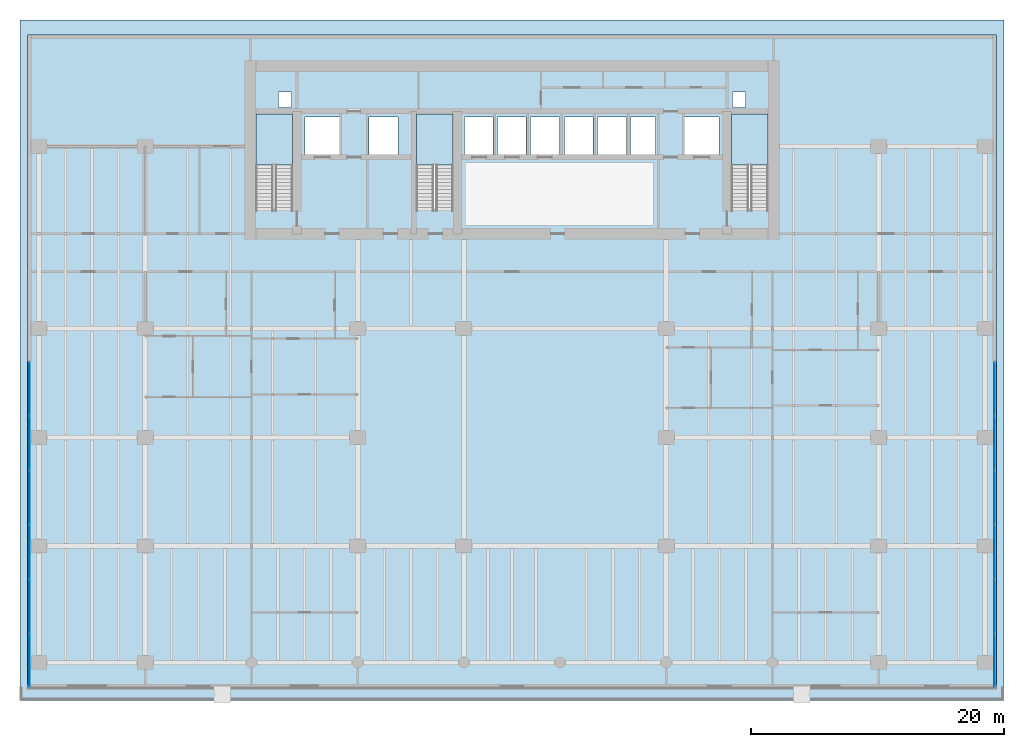
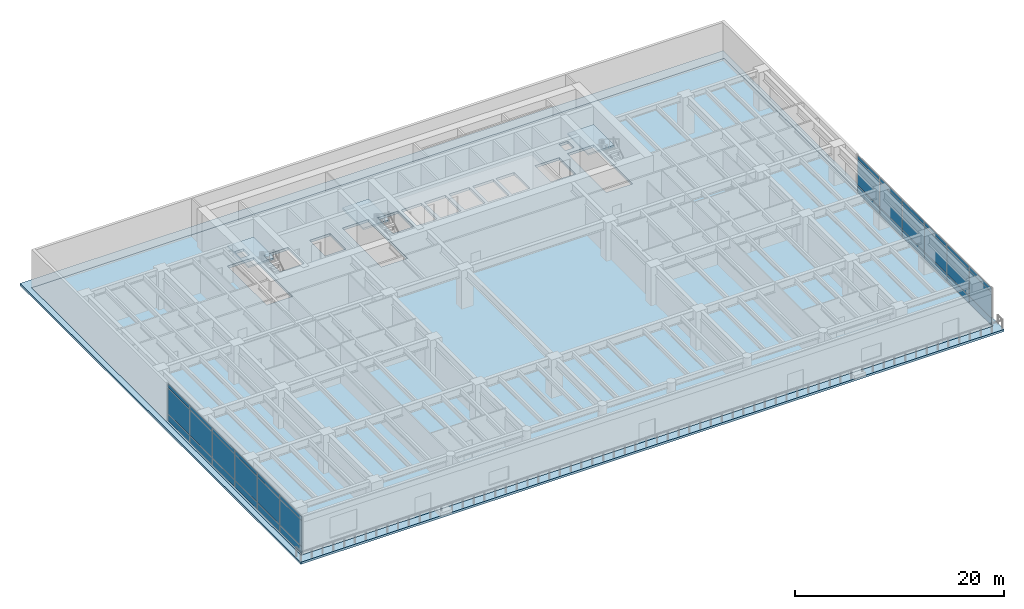
# One storey, part 5 of 17: 36 plates, 5 slabs, 5 elements without a shape of their own.
"""IFC4 building model written with IfcOpenShell, lengths in metres."""

from ifc_helpers import new_model, si_unit, direction, frame, origin, origin_2d, place, context, subcontext, project, spatial, polyline, rectangle, outline, extrude, material, layer, layer_set, type_object, element, aggregate, save


model = new_model("IFC4")

# Units and contexts
model_context = context("Model", 3, precision=1e-05, world=origin(), true_north=direction((0.0, 1.0)))
body_context = subcontext(model_context, "Body", "Model", "MODEL_VIEW")
ifc_project = project(units=[si_unit("LENGTHUNIT", "METRE"), si_unit("AREAUNIT", "SQUARE_METRE"), si_unit("VOLUMEUNIT", "CUBIC_METRE"), si_unit("PLANEANGLEUNIT", "RADIAN"), si_unit("MASSUNIT", "GRAM", prefix="KILO")], contexts=[model_context])

# Site, building, storey
site_placement = place(None, origin())
site = spatial("IfcSite", under=ifc_project, at=site_placement, CompositionType="ELEMENT")
building_placement = place(site_placement, origin())
building = spatial("IfcBuilding", under=site, at=building_placement, Name="Caelmar Bay Residences", CompositionType="ELEMENT")
storey_placement = place(building_placement, frame((0.0, 0.0, 10.199951171875)))
storey = spatial("IfcBuildingStorey", under=building, at=storey_placement, Name="L02", CompositionType="ELEMENT", Elevation=10.199951171875)

# Curtain wall, plates
ifc_material_1 = material(Name="Anodised bronze aluminium 6063-T6 and laminated glass", Category="aluminium")
ifc_layer_1 = layer(ifc_material_1, 0.179931640625)
ifc_layer_set_1 = layer_set([ifc_layer_1], Name="Anodised bronze aluminium 6063-T6 and laminated glass")
curtain_wall_type = type_object("IfcCurtainWallType", Name="CW1-POD", PredefinedType="NOTDEFINED", material=ifc_layer_set_1)
curtain_wall_1_placement = place(storey_placement, origin())
curtain_wall_1 = element("IfcCurtainWall", 1, at=curtain_wall_1_placement, inside=storey, type_object=curtain_wall_type, Name="CW1 curtain wall L02", PredefinedType="NOTDEFINED")
ifc_material_2 = material(Name="Bronze-tinted laminated low-E hurricane glass 32 mm", Category="glass")
ifc_layer_2 = layer(ifc_material_2, 0.031982421875)
ifc_layer_set_2 = layer_set([ifc_layer_2], Name="Bronze-tinted laminated low-E hurricane glass 32 mm")
plate_type = type_object("IfcPlateType", Name="CWP-GLZ32", PredefinedType="CURTAIN_PANEL", material=ifc_layer_set_2)
plate_1_placement = place(storey_placement, frame((0.75, 3.169921875, 0.080078125), z_axis=(0.0, 0.0, 1.0), x_axis=(0.0, 1.0, 0.0)))
plate_1 = element("IfcPlate", 2, at=plate_1_placement, type_object=plate_type, Name="CW1 panel 1.1", PredefinedType="CURTAIN_PANEL", context=body_context, shape_type="SweptSolid", body=[
    extrude(rectangle(XDim=4.179931640625, YDim=0.031982421875, at=origin_2d()), origin(), (0.0, 0.0, 1.0), 0.780029296875),
])
plate_2_placement = place(storey_placement, frame((0.75, 3.169921875, 0.93994140625), z_axis=(0.0, 0.0, 1.0), x_axis=(0.0, 1.0, 0.0)))
plate_2 = element("IfcPlate", 3, at=plate_2_placement, type_object=plate_type, Name="CW1 panel 1.2", PredefinedType="CURTAIN_PANEL", context=body_context, shape_type="SweptSolid", body=[
    extrude(rectangle(XDim=4.179931640625, YDim=0.031982421875, at=origin_2d()), origin(), (0.0, 0.0, 1.0), 2.969970703125),
])
plate_3_placement = place(storey_placement, frame((0.75, 3.169921875, 3.990234375), z_axis=(0.0, 0.0, 1.0), x_axis=(0.0, 1.0, 0.0)))
plate_3 = element("IfcPlate", 4, at=plate_3_placement, type_object=plate_type, Name="CW1 panel 1.3", PredefinedType="CURTAIN_PANEL", context=body_context, shape_type="SweptSolid", body=[
    extrude(rectangle(XDim=4.179931640625, YDim=0.031982421875, at=origin_2d()), origin(), (0.0, 0.0, 1.0), 0.429931640625),
])
plate_4_placement = place(storey_placement, frame((0.75, 7.449951171875, 0.080078125), z_axis=(0.0, 0.0, 1.0), x_axis=(0.0, 1.0, 0.0)))
plate_4 = element("IfcPlate", 5, at=plate_4_placement, type_object=plate_type, Name="CW1 panel 2.1", PredefinedType="CURTAIN_PANEL", context=body_context, shape_type="SweptSolid", body=[
    extrude(rectangle(XDim=4.219970703125, YDim=0.031982421875, at=origin_2d()), origin(), (0.0, 0.0, 1.0), 0.780029296875),
])
plate_5_placement = place(storey_placement, frame((0.75, 7.449951171875, 0.93994140625), z_axis=(0.0, 0.0, 1.0), x_axis=(0.0, 1.0, 0.0)))
plate_5 = element("IfcPlate", 6, at=plate_5_placement, type_object=plate_type, Name="CW1 panel 2.2", PredefinedType="CURTAIN_PANEL", context=body_context, shape_type="SweptSolid", body=[
    extrude(rectangle(XDim=4.219970703125, YDim=0.031982421875, at=origin_2d()), origin(), (0.0, 0.0, 1.0), 2.969970703125),
])
plate_6_placement = place(storey_placement, frame((0.75, 7.449951171875, 3.990234375), z_axis=(0.0, 0.0, 1.0), x_axis=(0.0, 1.0, 0.0)))
plate_6 = element("IfcPlate", 7, at=plate_6_placement, type_object=plate_type, Name="CW1 panel 2.3", PredefinedType="CURTAIN_PANEL", context=body_context, shape_type="SweptSolid", body=[
    extrude(rectangle(XDim=4.219970703125, YDim=0.031982421875, at=origin_2d()), origin(), (0.0, 0.0, 1.0), 0.429931640625),
])
plate_7_placement = place(storey_placement, frame((0.75, 11.75, 0.080078125), z_axis=(0.0, 0.0, 1.0), x_axis=(0.0, 1.0, 0.0)))
plate_7 = element("IfcPlate", 8, at=plate_7_placement, type_object=plate_type, Name="CW1 panel 3.1", PredefinedType="CURTAIN_PANEL", context=body_context, shape_type="SweptSolid", body=[
    extrude(rectangle(XDim=4.219970703125, YDim=0.031982421875, at=origin_2d()), origin(), (0.0, 0.0, 1.0), 0.780029296875),
])
plate_8_placement = place(storey_placement, frame((0.75, 11.75, 0.93994140625), z_axis=(0.0, 0.0, 1.0), x_axis=(0.0, 1.0, 0.0)))
plate_8 = element("IfcPlate", 9, at=plate_8_placement, type_object=plate_type, Name="CW1 panel 3.2", PredefinedType="CURTAIN_PANEL", context=body_context, shape_type="SweptSolid", body=[
    extrude(rectangle(XDim=4.219970703125, YDim=0.031982421875, at=origin_2d()), origin(), (0.0, 0.0, 1.0), 2.969970703125),
])
plate_9_placement = place(storey_placement, frame((0.75, 11.75, 3.990234375), z_axis=(0.0, 0.0, 1.0), x_axis=(0.0, 1.0, 0.0)))
plate_9 = element("IfcPlate", 10, at=plate_9_placement, type_object=plate_type, Name="CW1 panel 3.3", PredefinedType="CURTAIN_PANEL", context=body_context, shape_type="SweptSolid", body=[
    extrude(rectangle(XDim=4.219970703125, YDim=0.031982421875, at=origin_2d()), origin(), (0.0, 0.0, 1.0), 0.429931640625),
])
plate_10_placement = place(storey_placement, frame((0.75, 16.050048828125, 0.080078125), z_axis=(0.0, 0.0, 1.0), x_axis=(0.0, 1.0, 0.0)))
plate_10 = element("IfcPlate", 11, at=plate_10_placement, type_object=plate_type, Name="CW1 panel 4.1", PredefinedType="CURTAIN_PANEL", context=body_context, shape_type="SweptSolid", body=[
    extrude(rectangle(XDim=4.219970703125, YDim=0.031982421875, at=origin_2d()), origin(), (0.0, 0.0, 1.0), 0.780029296875),
])
plate_11_placement = place(storey_placement, frame((0.75, 16.050048828125, 0.93994140625), z_axis=(0.0, 0.0, 1.0), x_axis=(0.0, 1.0, 0.0)))
plate_11 = element("IfcPlate", 12, at=plate_11_placement, type_object=plate_type, Name="CW1 panel 4.2", PredefinedType="CURTAIN_PANEL", context=body_context, shape_type="SweptSolid", body=[
    extrude(rectangle(XDim=4.219970703125, YDim=0.031982421875, at=origin_2d()), origin(), (0.0, 0.0, 1.0), 2.969970703125),
])
plate_12_placement = place(storey_placement, frame((0.75, 16.050048828125, 3.990234375), z_axis=(0.0, 0.0, 1.0), x_axis=(0.0, 1.0, 0.0)))
plate_12 = element("IfcPlate", 13, at=plate_12_placement, type_object=plate_type, Name="CW1 panel 4.3", PredefinedType="CURTAIN_PANEL", context=body_context, shape_type="SweptSolid", body=[
    extrude(rectangle(XDim=4.219970703125, YDim=0.031982421875, at=origin_2d()), origin(), (0.0, 0.0, 1.0), 0.429931640625),
])
plate_13_placement = place(storey_placement, frame((0.75, 20.35009765625, 0.080078125), z_axis=(0.0, 0.0, 1.0), x_axis=(0.0, 1.0, 0.0)))
plate_13 = element("IfcPlate", 14, at=plate_13_placement, type_object=plate_type, Name="CW1 panel 5.1", PredefinedType="CURTAIN_PANEL", context=body_context, shape_type="SweptSolid", body=[
    extrude(rectangle(XDim=4.219970703125, YDim=0.031982421875, at=origin_2d()), origin(), (0.0, 0.0, 1.0), 0.780029296875),
])
plate_14_placement = place(storey_placement, frame((0.75, 20.35009765625, 0.93994140625), z_axis=(0.0, 0.0, 1.0), x_axis=(0.0, 1.0, 0.0)))
plate_14 = element("IfcPlate", 15, at=plate_14_placement, type_object=plate_type, Name="CW1 panel 5.2", PredefinedType="CURTAIN_PANEL", context=body_context, shape_type="SweptSolid", body=[
    extrude(rectangle(XDim=4.219970703125, YDim=0.031982421875, at=origin_2d()), origin(), (0.0, 0.0, 1.0), 2.969970703125),
])
plate_15_placement = place(storey_placement, frame((0.75, 20.35009765625, 3.990234375), z_axis=(0.0, 0.0, 1.0), x_axis=(0.0, 1.0, 0.0)))
plate_15 = element("IfcPlate", 16, at=plate_15_placement, type_object=plate_type, Name="CW1 panel 5.3", PredefinedType="CURTAIN_PANEL", context=body_context, shape_type="SweptSolid", body=[
    extrude(rectangle(XDim=4.219970703125, YDim=0.031982421875, at=origin_2d()), origin(), (0.0, 0.0, 1.0), 0.429931640625),
])
plate_16_placement = place(storey_placement, frame((0.75, 24.6298828125, 0.080078125), z_axis=(0.0, 0.0, 1.0), x_axis=(0.0, 1.0, 0.0)))
plate_16 = element("IfcPlate", 17, at=plate_16_placement, type_object=plate_type, Name="CW1 panel 6.1", PredefinedType="CURTAIN_PANEL", context=body_context, shape_type="SweptSolid", body=[
    extrude(rectangle(XDim=4.179931640625, YDim=0.031982421875, at=origin_2d()), origin(), (0.0, 0.0, 1.0), 0.780029296875),
])
plate_17_placement = place(storey_placement, frame((0.75, 24.6298828125, 0.93994140625), z_axis=(0.0, 0.0, 1.0), x_axis=(0.0, 1.0, 0.0)))
plate_17 = element("IfcPlate", 18, at=plate_17_placement, type_object=plate_type, Name="CW1 panel 6.2", PredefinedType="CURTAIN_PANEL", context=body_context, shape_type="SweptSolid", body=[
    extrude(rectangle(XDim=4.179931640625, YDim=0.031982421875, at=origin_2d()), origin(), (0.0, 0.0, 1.0), 2.969970703125),
])
plate_18_placement = place(storey_placement, frame((0.75, 24.6298828125, 3.990234375), z_axis=(0.0, 0.0, 1.0), x_axis=(0.0, 1.0, 0.0)))
plate_18 = element("IfcPlate", 19, at=plate_18_placement, type_object=plate_type, Name="CW1 panel 6.3", PredefinedType="CURTAIN_PANEL", context=body_context, shape_type="SweptSolid", body=[
    extrude(rectangle(XDim=4.179931640625, YDim=0.031982421875, at=origin_2d()), origin(), (0.0, 0.0, 1.0), 0.429931640625),
])
aggregate(curtain_wall_1, [plate_1, plate_2, plate_3, plate_4, plate_5, plate_6, plate_7, plate_8, plate_9, plate_10, plate_11, plate_12, plate_13, plate_14, plate_15, plate_16, plate_17, plate_18])

curtain_wall_2_placement = place(storey_placement, origin())
curtain_wall_2 = element("IfcCurtainWall", 20, at=curtain_wall_2_placement, inside=storey, type_object=curtain_wall_type, Name="CW1 curtain wall L02", PredefinedType="NOTDEFINED")
plate_19_placement = place(storey_placement, frame((77.050048828125, 24.6298828125, 0.080078125), z_axis=(0.0, 0.0, 1.0), x_axis=(0.0, -1.0, 0.0)))
plate_19 = element("IfcPlate", 21, at=plate_19_placement, type_object=plate_type, Name="CW1 panel 1.1", PredefinedType="CURTAIN_PANEL", context=body_context, shape_type="SweptSolid", body=[
    extrude(rectangle(XDim=4.179931640625, YDim=0.031982421875, at=origin_2d()), origin(), (0.0, 0.0, 1.0), 0.780029296875),
])
plate_20_placement = place(storey_placement, frame((77.050048828125, 24.6298828125, 0.93994140625), z_axis=(0.0, 0.0, 1.0), x_axis=(0.0, -1.0, 0.0)))
plate_20 = element("IfcPlate", 22, at=plate_20_placement, type_object=plate_type, Name="CW1 panel 1.2", PredefinedType="CURTAIN_PANEL", context=body_context, shape_type="SweptSolid", body=[
    extrude(rectangle(XDim=4.179931640625, YDim=0.031982421875, at=origin_2d()), origin(), (0.0, 0.0, 1.0), 2.969970703125),
])
plate_21_placement = place(storey_placement, frame((77.050048828125, 24.6298828125, 3.990234375), z_axis=(0.0, 0.0, 1.0), x_axis=(0.0, -1.0, 0.0)))
plate_21 = element("IfcPlate", 23, at=plate_21_placement, type_object=plate_type, Name="CW1 panel 1.3", PredefinedType="CURTAIN_PANEL", context=body_context, shape_type="SweptSolid", body=[
    extrude(rectangle(XDim=4.179931640625, YDim=0.031982421875, at=origin_2d()), origin(), (0.0, 0.0, 1.0), 0.429931640625),
])
plate_22_placement = place(storey_placement, frame((77.050048828125, 20.35009765625, 0.080078125), z_axis=(0.0, 0.0, 1.0), x_axis=(0.0, -1.0, 0.0)))
plate_22 = element("IfcPlate", 24, at=plate_22_placement, type_object=plate_type, Name="CW1 panel 2.1", PredefinedType="CURTAIN_PANEL", context=body_context, shape_type="SweptSolid", body=[
    extrude(rectangle(XDim=4.219970703125, YDim=0.031982421875, at=origin_2d()), origin(), (0.0, 0.0, 1.0), 0.780029296875),
])
plate_23_placement = place(storey_placement, frame((77.050048828125, 20.35009765625, 0.93994140625), z_axis=(0.0, 0.0, 1.0), x_axis=(0.0, -1.0, 0.0)))
plate_23 = element("IfcPlate", 25, at=plate_23_placement, type_object=plate_type, Name="CW1 panel 2.2", PredefinedType="CURTAIN_PANEL", context=body_context, shape_type="SweptSolid", body=[
    extrude(rectangle(XDim=4.219970703125, YDim=0.031982421875, at=origin_2d()), origin(), (0.0, 0.0, 1.0), 2.969970703125),
])
plate_24_placement = place(storey_placement, frame((77.050048828125, 20.35009765625, 3.990234375), z_axis=(0.0, 0.0, 1.0), x_axis=(0.0, -1.0, 0.0)))
plate_24 = element("IfcPlate", 26, at=plate_24_placement, type_object=plate_type, Name="CW1 panel 2.3", PredefinedType="CURTAIN_PANEL", context=body_context, shape_type="SweptSolid", body=[
    extrude(rectangle(XDim=4.219970703125, YDim=0.031982421875, at=origin_2d()), origin(), (0.0, 0.0, 1.0), 0.429931640625),
])
plate_25_placement = place(storey_placement, frame((77.050048828125, 16.050048828125, 0.080078125), z_axis=(0.0, 0.0, 1.0), x_axis=(0.0, -1.0, 0.0)))
plate_25 = element("IfcPlate", 27, at=plate_25_placement, type_object=plate_type, Name="CW1 panel 3.1", PredefinedType="CURTAIN_PANEL", context=body_context, shape_type="SweptSolid", body=[
    extrude(rectangle(XDim=4.219970703125, YDim=0.031982421875, at=origin_2d()), origin(), (0.0, 0.0, 1.0), 0.780029296875),
])
plate_26_placement = place(storey_placement, frame((77.050048828125, 16.050048828125, 0.93994140625), z_axis=(0.0, 0.0, 1.0), x_axis=(0.0, -1.0, 0.0)))
plate_26 = element("IfcPlate", 28, at=plate_26_placement, type_object=plate_type, Name="CW1 panel 3.2", PredefinedType="CURTAIN_PANEL", context=body_context, shape_type="SweptSolid", body=[
    extrude(rectangle(XDim=4.219970703125, YDim=0.031982421875, at=origin_2d()), origin(), (0.0, 0.0, 1.0), 2.969970703125),
])
plate_27_placement = place(storey_placement, frame((77.050048828125, 16.050048828125, 3.990234375), z_axis=(0.0, 0.0, 1.0), x_axis=(0.0, -1.0, 0.0)))
plate_27 = element("IfcPlate", 29, at=plate_27_placement, type_object=plate_type, Name="CW1 panel 3.3", PredefinedType="CURTAIN_PANEL", context=body_context, shape_type="SweptSolid", body=[
    extrude(rectangle(XDim=4.219970703125, YDim=0.031982421875, at=origin_2d()), origin(), (0.0, 0.0, 1.0), 0.429931640625),
])
plate_28_placement = place(storey_placement, frame((77.050048828125, 11.75, 0.080078125), z_axis=(0.0, 0.0, 1.0), x_axis=(0.0, -1.0, 0.0)))
plate_28 = element("IfcPlate", 30, at=plate_28_placement, type_object=plate_type, Name="CW1 panel 4.1", PredefinedType="CURTAIN_PANEL", context=body_context, shape_type="SweptSolid", body=[
    extrude(rectangle(XDim=4.219970703125, YDim=0.031982421875, at=origin_2d()), origin(), (0.0, 0.0, 1.0), 0.780029296875),
])
plate_29_placement = place(storey_placement, frame((77.050048828125, 11.75, 0.93994140625), z_axis=(0.0, 0.0, 1.0), x_axis=(0.0, -1.0, 0.0)))
plate_29 = element("IfcPlate", 31, at=plate_29_placement, type_object=plate_type, Name="CW1 panel 4.2", PredefinedType="CURTAIN_PANEL", context=body_context, shape_type="SweptSolid", body=[
    extrude(rectangle(XDim=4.219970703125, YDim=0.031982421875, at=origin_2d()), origin(), (0.0, 0.0, 1.0), 2.969970703125),
])
plate_30_placement = place(storey_placement, frame((77.050048828125, 11.75, 3.990234375), z_axis=(0.0, 0.0, 1.0), x_axis=(0.0, -1.0, 0.0)))
plate_30 = element("IfcPlate", 32, at=plate_30_placement, type_object=plate_type, Name="CW1 panel 4.3", PredefinedType="CURTAIN_PANEL", context=body_context, shape_type="SweptSolid", body=[
    extrude(rectangle(XDim=4.219970703125, YDim=0.031982421875, at=origin_2d()), origin(), (0.0, 0.0, 1.0), 0.429931640625),
])
plate_31_placement = place(storey_placement, frame((77.050048828125, 7.449951171875, 0.080078125), z_axis=(0.0, 0.0, 1.0), x_axis=(0.0, -1.0, 0.0)))
plate_31 = element("IfcPlate", 33, at=plate_31_placement, type_object=plate_type, Name="CW1 panel 5.1", PredefinedType="CURTAIN_PANEL", context=body_context, shape_type="SweptSolid", body=[
    extrude(rectangle(XDim=4.219970703125, YDim=0.031982421875, at=origin_2d()), origin(), (0.0, 0.0, 1.0), 0.780029296875),
])
plate_32_placement = place(storey_placement, frame((77.050048828125, 7.449951171875, 0.93994140625), z_axis=(0.0, 0.0, 1.0), x_axis=(0.0, -1.0, 0.0)))
plate_32 = element("IfcPlate", 34, at=plate_32_placement, type_object=plate_type, Name="CW1 panel 5.2", PredefinedType="CURTAIN_PANEL", context=body_context, shape_type="SweptSolid", body=[
    extrude(rectangle(XDim=4.219970703125, YDim=0.031982421875, at=origin_2d()), origin(), (0.0, 0.0, 1.0), 2.969970703125),
])
plate_33_placement = place(storey_placement, frame((77.050048828125, 7.449951171875, 3.990234375), z_axis=(0.0, 0.0, 1.0), x_axis=(0.0, -1.0, 0.0)))
plate_33 = element("IfcPlate", 35, at=plate_33_placement, type_object=plate_type, Name="CW1 panel 5.3", PredefinedType="CURTAIN_PANEL", context=body_context, shape_type="SweptSolid", body=[
    extrude(rectangle(XDim=4.219970703125, YDim=0.031982421875, at=origin_2d()), origin(), (0.0, 0.0, 1.0), 0.429931640625),
])
plate_34_placement = place(storey_placement, frame((77.050048828125, 3.169921875, 0.080078125), z_axis=(0.0, 0.0, 1.0), x_axis=(0.0, -1.0, 0.0)))
plate_34 = element("IfcPlate", 36, at=plate_34_placement, type_object=plate_type, Name="CW1 panel 6.1", PredefinedType="CURTAIN_PANEL", context=body_context, shape_type="SweptSolid", body=[
    extrude(rectangle(XDim=4.179931640625, YDim=0.031982421875, at=origin_2d()), origin(), (0.0, 0.0, 1.0), 0.780029296875),
])
plate_35_placement = place(storey_placement, frame((77.050048828125, 3.169921875, 0.93994140625), z_axis=(0.0, 0.0, 1.0), x_axis=(0.0, -1.0, 0.0)))
plate_35 = element("IfcPlate", 37, at=plate_35_placement, type_object=plate_type, Name="CW1 panel 6.2", PredefinedType="CURTAIN_PANEL", context=body_context, shape_type="SweptSolid", body=[
    extrude(rectangle(XDim=4.179931640625, YDim=0.031982421875, at=origin_2d()), origin(), (0.0, 0.0, 1.0), 2.969970703125),
])
plate_36_placement = place(storey_placement, frame((77.050048828125, 3.169921875, 3.990234375), z_axis=(0.0, 0.0, 1.0), x_axis=(0.0, -1.0, 0.0)))
plate_36 = element("IfcPlate", 38, at=plate_36_placement, type_object=plate_type, Name="CW1 panel 6.3", PredefinedType="CURTAIN_PANEL", context=body_context, shape_type="SweptSolid", body=[
    extrude(rectangle(XDim=4.179931640625, YDim=0.031982421875, at=origin_2d()), origin(), (0.0, 0.0, 1.0), 0.429931640625),
])
aggregate(curtain_wall_2, [plate_19, plate_20, plate_21, plate_22, plate_23, plate_24, plate_25, plate_26, plate_27, plate_28, plate_29, plate_30, plate_31, plate_32, plate_33, plate_34, plate_35, plate_36])

# Stair, slab
ifc_material_3 = material(Name="Concrete f'c 40 MPa (6,000 psi)", Category="concrete")
stair_type = type_object("IfcStairType", Name="ST-TAL-170", PredefinedType="HALF_TURN_STAIR", material=ifc_material_3)
stair_1_placement = place(storey_placement, origin())
stair_1 = element("IfcStair", 39, at=stair_1_placement, inside=storey, type_object=stair_type, Name="L02 West Smokeproof Exit Stair ST1", PredefinedType="HALF_TURN_STAIR")
ifc_layer_3 = layer(ifc_material_3, 0.199951171875)
ifc_layer_set_3 = layer_set([ifc_layer_3], Name="Concrete f'c 40 MPa (6,000 psi)")
slab_type_1 = type_object("IfcSlabType", Name="SLB-LND-200", PredefinedType="LANDING", material=ifc_layer_set_3)
slab_1_placement = place(storey_placement, frame((0.0, 0.0, 2.199951171875)))
slab_1 = element("IfcSlab", 40, at=slab_1_placement, type_object=slab_type_1, Name="ST1 landing 1", PredefinedType="LANDING", context=body_context, shape_type="SweptSolid", body=[
    extrude(outline(polyline([(21.550048828125, 42.340087890625), (21.550048828125, 46.35009765625), (18.64990234375, 46.35009765625), (18.64990234375, 42.340087890625), (21.550048828125, 42.340087890625)])), origin(), (0.0, 0.0, 1.0), 0.2001953125),
])
aggregate(stair_1, [slab_1])

stair_2_placement = place(storey_placement, origin())
stair_2 = element("IfcStair", 41, at=stair_2_placement, inside=storey, type_object=stair_type, Name="L02 East Smokeproof Exit Stair ST2", PredefinedType="HALF_TURN_STAIR")
slab_2_placement = place(storey_placement, frame((0.0, 0.0, 2.199951171875)))
slab_2 = element("IfcSlab", 42, at=slab_2_placement, type_object=slab_type_1, Name="ST2 landing 1", PredefinedType="LANDING", context=body_context, shape_type="SweptSolid", body=[
    extrude(outline(polyline([(59.14990234375, 42.340087890625), (59.14990234375, 46.35009765625), (56.25, 46.35009765625), (56.25, 42.340087890625), (59.14990234375, 42.340087890625)])), origin(), (0.0, 0.0, 1.0), 0.2001953125),
])
aggregate(stair_2, [slab_2])

stair_3_placement = place(storey_placement, origin())
stair_3 = element("IfcStair", 43, at=stair_3_placement, inside=storey, type_object=stair_type, Name="L02 Central Smokeproof Exit Stair ST3", PredefinedType="HALF_TURN_STAIR")
slab_3_placement = place(storey_placement, frame((0.0, 0.0, 2.199951171875)))
slab_3 = element("IfcSlab", 44, at=slab_3_placement, type_object=slab_type_1, Name="ST3 landing 1", PredefinedType="LANDING", context=body_context, shape_type="SweptSolid", body=[
    extrude(outline(polyline([(34.25, 42.340087890625), (34.25, 46.35009765625), (31.35009765625, 46.35009765625), (31.35009765625, 42.340087890625), (34.25, 42.340087890625)])), origin(), (0.0, 0.0, 1.0), 0.2001953125),
])
aggregate(stair_3, [slab_3])

# Slabs
ifc_layer_4 = layer(ifc_material_3, 0.300048828125)
ifc_layer_set_4 = layer_set([ifc_layer_4], Name="Concrete f'c 40 MPa (6,000 psi)")
slab_type_2 = type_object("IfcSlabType", Name="SLB-POD-300", PredefinedType="FLOOR", material=ifc_layer_set_4)
slab_4_placement = place(storey_placement, frame((0.0, 0.0, -0.300048828125)))
element("IfcSlab", 45, at=slab_4_placement, inside=storey, type_object=slab_type_2, Name="L02 Structural Floor Slab", PredefinedType="FLOOR", context=body_context, shape_type="SweptSolid", body=[
    extrude(outline(polyline([(0.60009765625, 1.0), (77.199951171875, 1.0), (77.199951171875, 52.60009765625), (0.60009765625, 52.60009765625), (0.60009765625, 1.0)]), holes=[polyline([(18.64990234375, 38.85009765625), (21.550048828125, 38.85009765625), (21.550048828125, 46.35009765625), (18.64990234375, 46.35009765625), (18.64990234375, 38.85009765625)]), polyline([(56.25, 38.85009765625), (59.14990234375, 38.85009765625), (59.14990234375, 46.35009765625), (56.25, 46.35009765625), (56.25, 38.85009765625)]), polyline([(31.35009765625, 38.85009765625), (34.25, 38.85009765625), (34.25, 46.35009765625), (31.35009765625, 46.35009765625), (31.35009765625, 38.85009765625)]), polyline([(22.550048828125, 43.050048828125), (25.25, 43.050048828125), (25.25, 46.14990234375), (22.550048828125, 46.14990234375), (22.550048828125, 43.050048828125)]), polyline([(52.550048828125, 43.050048828125), (55.25, 43.050048828125), (55.25, 46.14990234375), (52.550048828125, 46.14990234375), (52.550048828125, 43.050048828125)]), polyline([(35.14990234375, 43.14990234375), (37.39990234375, 43.14990234375), (37.39990234375, 46.14990234375), (35.14990234375, 46.14990234375), (35.14990234375, 43.14990234375)]), polyline([(37.75, 43.14990234375), (40.0, 43.14990234375), (40.0, 46.14990234375), (37.75, 46.14990234375), (37.75, 43.14990234375)]), polyline([(40.35009765625, 43.14990234375), (42.64990234375, 43.14990234375), (42.64990234375, 46.14990234375), (40.35009765625, 46.14990234375), (40.35009765625, 43.14990234375)]), polyline([(43.050048828125, 43.14990234375), (45.300048828125, 43.14990234375), (45.300048828125, 46.14990234375), (43.050048828125, 46.14990234375), (43.050048828125, 43.14990234375)]), polyline([(45.64990234375, 43.14990234375), (47.949951171875, 43.14990234375), (47.949951171875, 46.14990234375), (45.64990234375, 46.14990234375), (45.64990234375, 43.14990234375)]), polyline([(48.25, 43.14990234375), (50.25, 43.14990234375), (50.25, 46.14990234375), (48.25, 46.14990234375), (48.25, 43.14990234375)]), polyline([(27.60009765625, 43.14990234375), (29.89990234375, 43.14990234375), (29.89990234375, 46.14990234375), (27.60009765625, 46.14990234375), (27.60009765625, 43.14990234375)]), polyline([(20.449951171875, 46.89990234375), (21.449951171875, 46.89990234375), (21.449951171875, 48.10009765625), (20.449951171875, 48.10009765625), (20.449951171875, 46.89990234375)]), polyline([(56.35009765625, 46.89990234375), (57.35009765625, 46.89990234375), (57.35009765625, 48.10009765625), (56.35009765625, 48.10009765625), (56.35009765625, 46.89990234375)])]), origin(), (0.0, 0.0, 1.0), 0.300048828125),
])
ifc_layer_5 = layer(ifc_material_3, 0.260009765625)
ifc_layer_set_5 = layer_set([ifc_layer_5], Name="Concrete f'c 40 MPa (6,000 psi)")
slab_type_3 = type_object("IfcSlabType", Name="SLB-TER-260", PredefinedType="ROOF", material=ifc_layer_set_5)
slab_5_placement = place(storey_placement, frame((0.0, 0.0, -0.260009765625)))
element("IfcSlab", 46, at=slab_5_placement, inside=storey, type_object=slab_type_3, Name="L02 Exterior Stepped Terrace Roof Slab 1", PredefinedType="ROOF", context=body_context, shape_type="SweptSolid", body=[
    extrude(outline(polyline([(0.0, 0.0), (77.800048828125, 0.0), (77.800048828125, 53.800048828125), (0.0, 53.800048828125), (0.0, 0.0)]), holes=[polyline([(0.60009765625, 1.0), (0.60009765625, 52.60009765625), (77.199951171875, 52.60009765625), (77.199951171875, 1.0), (0.60009765625, 1.0)])]), origin(), (0.0, 0.0, 1.0), 0.260009765625),
])

save(model, "model.ifc")
